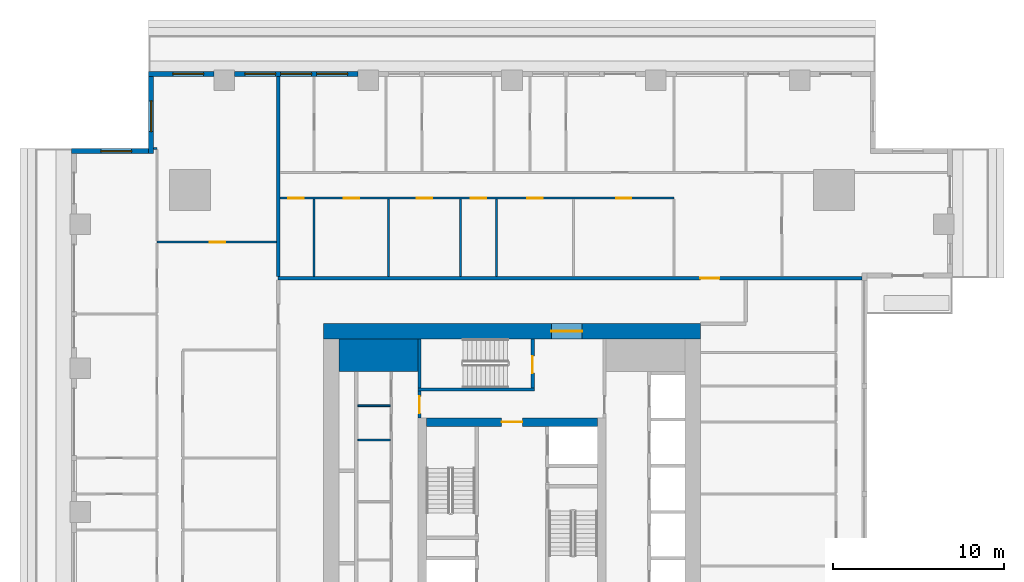
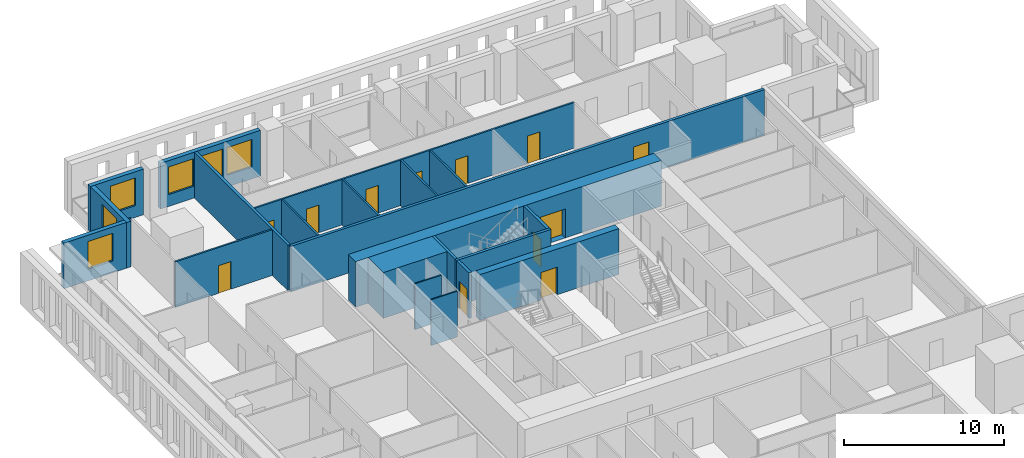
# One storey, part 7 of 15: 22 walls, 12 doors, 6 windows, 18 openings.
"""IFC4 building model written with IfcOpenShell, lengths in metres."""

from ifc_helpers import new_model, si_unit, direction, frame, frame_2d, origin, place, context, subcontext, project, spatial, rectangle, extrude, material, layer, layer_set, type_object, element, fill, save


model = new_model("IFC4")

# Units and contexts
model_context = context("Model", 3, precision=1e-05, world=origin(), true_north=direction((0.0, 1.0)))
body_context = subcontext(model_context, "Body", "Model", "MODEL_VIEW")
ifc_project = project(units=[si_unit("LENGTHUNIT", "METRE"), si_unit("AREAUNIT", "SQUARE_METRE"), si_unit("VOLUMEUNIT", "CUBIC_METRE"), si_unit("PLANEANGLEUNIT", "RADIAN"), si_unit("MASSUNIT", "GRAM", prefix="KILO")], contexts=[model_context])

# Site, building, storey
site_placement = place(None, origin())
site = spatial("IfcSite", under=ifc_project, at=site_placement, CompositionType="ELEMENT")
building_placement = place(site_placement, origin())
building = spatial("IfcBuilding", under=site, at=building_placement, Name="Khepri Terraces", CompositionType="ELEMENT")
storey_placement = place(building_placement, frame((0.0, 0.0, 227.39990234375)))
storey = spatial("IfcBuildingStorey", under=building, at=storey_placement, Name="L54", CompositionType="ELEMENT", Elevation=227.39990234375)

# Walls
ifc_material_1 = material(Name="Concrete C50/60", Category="concrete")
ifc_layer_1 = layer(ifc_material_1, 1.89990234375, Name="Concrete C50/60", Category="concrete")
ifc_layer_set_1 = layer_set([ifc_layer_1], Name="Concrete C50/60")
wall_type_1 = type_object("IfcWallType", Name="Core wall 1900 C50/60", PredefinedType="SHEAR", material=ifc_layer_set_1)
wall_1_placement = place(storey_placement, frame((-10.10009765625, 9.14990234375, 0.0), z_axis=(0.0, 0.0, 1.0), x_axis=(1.0, 0.0, 0.0)))
element("IfcWall", 1, at=wall_1_placement, inside=storey, type_object=wall_type_1, Name="Core wall PR03 L54", PredefinedType="SHEAR", context=body_context, shape_type="SweptSolid", body=[
    extrude(rectangle(XDim=4.60009765625, YDim=1.89990234375, at=frame_2d((2.300048828125, 0.0))), origin(), (0.0, 0.0, 1.0), 3.47998046875),
])
ifc_layer_2 = layer(ifc_material_1, 0.199951171875, Name="Concrete C50/60", Category="concrete")
ifc_layer_set_2 = layer_set([ifc_layer_2], Name="Concrete C50/60")
wall_type_2 = type_object("IfcWallType", Name="Core wall 200 C50/60", PredefinedType="SHEAR", material=ifc_layer_set_2)
wall_2_placement = place(storey_placement, frame((-5.5, 7.14990234375, 0.0), z_axis=(0.0, 0.0, 1.0), x_axis=(1.0, 0.0, 0.0)))
element("IfcWall", 2, at=wall_2_placement, inside=storey, type_object=wall_type_2, Name="Core wall ST05 L54", PredefinedType="SHEAR", context=body_context, shape_type="SweptSolid", body=[
    extrude(rectangle(XDim=6.800048828125, YDim=0.199951171875, at=frame_2d((3.39990234375, 0.0))), origin(), (0.0, 0.0, 1.0), 3.47998046875),
])
wall_3_placement = place(storey_placement, frame((-5.39990234375, 7.25, 0.0), z_axis=(0.0, 0.0, 1.0), x_axis=(0.0, 1.0, 0.0)))
element("IfcWall", 3, at=wall_3_placement, inside=storey, type_object=wall_type_2, Name="Core wall ST06 L54", PredefinedType="SHEAR", context=body_context, shape_type="SweptSolid", body=[
    extrude(rectangle(XDim=2.85009765625, YDim=0.199951171875, at=frame_2d((1.425048828125, 0.0))), origin(), (0.0, 0.0, 1.0), 3.47998046875),
])

# Wall, opening, door
wall_4_placement = place(storey_placement, frame((1.199951171875, 7.25, 0.0), z_axis=(0.0, 0.0, 1.0), x_axis=(0.0, 1.0, 0.0)))
wall_4 = element("IfcWall", 4, at=wall_4_placement, inside=storey, type_object=wall_type_2, Name="Core wall ST07 L54", PredefinedType="SHEAR", context=body_context, shape_type="SweptSolid", body=[
    extrude(rectangle(XDim=2.85009765625, YDim=0.199951171875, at=frame_2d((1.425048828125, 0.0))), origin(), (0.0, 0.0, 1.0), 3.47998046875),
])
opening_1_placement = place(wall_4_placement, frame((0.85009765625, 0.0, 0.0)))
opening_1 = element("IfcOpeningElement", 5, at=opening_1_placement, cuts=wall_4, Name="Opening L54-C15", PredefinedType="OPENING", context=body_context, shape_type="SweptSolid", body=[
    extrude(rectangle(XDim=1.0, YDim=2.10009765625, at=frame_2d((0.5, 1.050048828125))), frame((0.0, 0.10986328125, 0.0), z_axis=(0.0, -1.0, 0.0), x_axis=(1.0, 0.0, 0.0)), (0.0, 0.0, 1.0), 0.219970703125),
])
ifc_material_2 = material(Name="Painted steel", Category="steel")
door_type_1 = type_object("IfcDoorType", Name="DR-CORE-STAIR-1000", OperationType="NOTDEFINED", PredefinedType="DOOR", material=ifc_material_2)
door_1_placement = place(opening_1_placement, origin())
door_1 = element("IfcDoor", 6, at=door_1_placement, inside=storey, type_object=door_type_1, Name="Stair door L54-C15", OperationType="SINGLE_SWING_LEFT", OverallHeight=2.10009765625, OverallWidth=1.0, PredefinedType="DOOR", context=body_context, shape_type="SweptSolid", body=[
    extrude(rectangle(XDim=1.0, YDim=2.10009765625, at=frame_2d((0.5, 1.050048828125))), frame((0.0, 0.02490234375, 0.0), z_axis=(0.0, -1.0, 0.0), x_axis=(1.0, 0.0, 0.0)), (0.0, 0.0, 1.0), 0.050048828125),
])
fill(opening_1, door_1)

ifc_layer_3 = layer(ifc_material_1, 0.5, Name="Concrete C50/60", Category="concrete")
ifc_layer_set_3 = layer_set([ifc_layer_3], Name="Concrete C50/60")
wall_type_3 = type_object("IfcWallType", Name="Core wall 500 C50/60", PredefinedType="SHEAR", material=ifc_layer_set_3)
wall_5_placement = place(storey_placement, frame((-5.0, 5.25, 0.0), z_axis=(0.0, 0.0, 1.0), x_axis=(1.0, 0.0, 0.0)))
wall_5 = element("IfcWall", 7, at=wall_5_placement, inside=storey, type_object=wall_type_3, Name="Core wall BX04 L54", PredefinedType="SHEAR", context=body_context, shape_type="SweptSolid", body=[
    extrude(rectangle(XDim=10.0, YDim=0.5, at=frame_2d((5.0, 0.0))), origin(), (0.0, 0.0, 1.0), 3.47998046875),
])
opening_2_placement = place(wall_5_placement, frame((4.39990234375, 0.0, 0.0)))
opening_2 = element("IfcOpeningElement", 8, at=opening_2_placement, cuts=wall_5, Name="Opening L54-C13", PredefinedType="OPENING", context=body_context, shape_type="SweptSolid", body=[
    extrude(rectangle(XDim=1.199951171875, YDim=2.10009765625, at=frame_2d((0.60009765625, 1.050048828125))), frame((0.0, 0.260009765625, 0.0), z_axis=(0.0, -1.0, 0.0), x_axis=(1.0, 0.0, 0.0)), (0.0, 0.0, 1.0), 0.52001953125),
])
door_type_2 = type_object("IfcDoorType", Name="DR-CORE-FF-LOBBY-1200", OperationType="NOTDEFINED", PredefinedType="DOOR", material=ifc_material_2)
door_2_placement = place(opening_2_placement, frame((1.199951171875, 0.0, 0.0), z_axis=(0.0, 0.0, 1.0), x_axis=(-1.0, 0.0, 0.0)))
door_2 = element("IfcDoor", 9, at=door_2_placement, inside=storey, type_object=door_type_2, Name="Firefighting lobby door L54-C13", OperationType="SINGLE_SWING_LEFT", OverallHeight=2.10009765625, OverallWidth=1.199951171875, PredefinedType="DOOR", context=body_context, shape_type="SweptSolid", body=[
    extrude(rectangle(XDim=1.199951171875, YDim=2.10009765625, at=frame_2d((0.60009765625, 1.050048828125))), frame((0.0, 0.02490234375, 0.0), z_axis=(0.0, -1.0, 0.0), x_axis=(1.0, 0.0, 0.0)), (0.0, 0.0, 1.0), 0.050048828125),
])
fill(opening_2, door_2)

ifc_layer_4 = layer(ifc_material_1, 0.89990234375, Name="Concrete C50/60", Category="concrete")
ifc_layer_set_4 = layer_set([ifc_layer_4], Name="Concrete C50/60")
wall_type_4 = type_object("IfcWallType", Name="Core wall 900 C50/60", PredefinedType="SHEAR", material=ifc_layer_set_4)
wall_6_placement = place(storey_placement, frame((-11.0, 10.550048828125, 0.0), z_axis=(0.0, 0.0, 1.0), x_axis=(1.0, 0.0, 0.0)))
wall_6 = element("IfcWall", 10, at=wall_6_placement, inside=storey, type_object=wall_type_4, Name="Core wall OW-N L54", PredefinedType="SHEAR", context=body_context, shape_type="SweptSolid", body=[
    extrude(rectangle(XDim=22.0, YDim=0.89990234375, at=frame_2d((11.0, 0.0))), origin(), (0.0, 0.0, 1.0), 3.47998046875),
])
opening_3_placement = place(wall_6_placement, frame((13.300048828125, 0.0, 0.0)))
opening_3 = element("IfcOpeningElement", 11, at=opening_3_placement, cuts=wall_6, Name="Opening L54-C20", PredefinedType="OPENING", context=body_context, shape_type="SweptSolid", body=[
    extrude(rectangle(XDim=1.800048828125, YDim=2.199951171875, at=frame_2d((0.89990234375, 1.10009765625))), frame((0.0, 0.4599609375, 0.0), z_axis=(0.0, -1.0, 0.0), x_axis=(1.0, 0.0, 0.0)), (0.0, 0.0, 1.0), 0.919921875),
])
door_type_3 = type_object("IfcDoorType", Name="DR-CORE-ENTRANCE-1800", OperationType="NOTDEFINED", PredefinedType="DOOR", material=ifc_material_2)
door_3_placement = place(opening_3_placement, origin())
door_3 = element("IfcDoor", 12, at=door_3_placement, inside=storey, type_object=door_type_3, Name="Core entrance door pair L54-C20", OperationType="DOUBLE_DOOR_SINGLE_SWING", OverallHeight=2.199951171875, OverallWidth=1.800048828125, PredefinedType="DOOR", context=body_context, shape_type="SweptSolid", body=[
    extrude(rectangle(XDim=1.800048828125, YDim=2.199951171875, at=frame_2d((0.89990234375, 1.10009765625))), frame((0.0, 0.02490234375, 0.0), z_axis=(0.0, -1.0, 0.0), x_axis=(1.0, 0.0, 0.0)), (0.0, 0.0, 1.0), 0.050048828125),
])
fill(opening_3, door_3)

# Walls
ifc_material_3 = material(Name="Fire-rated gypsum board partition")
ifc_layer_5 = layer(ifc_material_3, 0.10009765625, Name="Fire-rated gypsum board partition")
ifc_layer_set_5 = layer_set([ifc_layer_5], Name="Fire-rated gypsum board partition")
wall_type_5 = type_object("IfcWallType", Name="WL-CORE-PART-100", PredefinedType="PARTITIONING", material=ifc_layer_set_5)
for number, where, z_axis, x_axis, name in (
    (13, (-9.0, 4.199951171875, 0.0), (0.0, 0.0, 1.0), (1.0, 0.0, 0.0), "Core partition PT11 L54"),
    (14, (-9.0, 6.199951171875, 0.0), (0.0, 0.0, 1.0), (1.0, 0.0, 0.0), "Core partition PT14 L54"),
):
    element("IfcWall", number, at=place(storey_placement, frame(where, z_axis=z_axis, x_axis=x_axis)), inside=storey, type_object=wall_type_5, Name=name, PredefinedType="PARTITIONING", context=body_context, shape_type="SweptSolid", body=[
        extrude(rectangle(XDim=1.89990234375, YDim=0.10009765625, at=frame_2d((0.949951171875, 0.0))), origin(), (0.0, 0.0, 1.0), 3.47998046875),
    ])

# Wall, opening, door
ifc_layer_6 = layer(ifc_material_3, 0.199951171875, Name="Fire-rated gypsum board partition")
ifc_layer_set_6 = layer_set([ifc_layer_6], Name="Fire-rated gypsum board partition")
wall_type_6 = type_object("IfcWallType", Name="WL-CORE-PART-200", PredefinedType="PARTITIONING", material=ifc_layer_set_6)
wall_7_placement = place(storey_placement, frame((-5.39990234375, 5.5, 0.0), z_axis=(0.0, 0.0, 1.0), x_axis=(0.0, 1.0, 0.0)))
wall_7 = element("IfcWall", 15, at=wall_7_placement, inside=storey, type_object=wall_type_6, Name="Core partition PT12 L54", PredefinedType="PARTITIONING", context=body_context, shape_type="SweptSolid", body=[
    extrude(rectangle(XDim=1.550048828125, YDim=0.199951171875, at=frame_2d((0.77490234375, 0.0))), origin(), (0.0, 0.0, 1.0), 3.47998046875),
])
opening_4_placement = place(wall_7_placement, frame((0.25, 0.0, 0.0)))
opening_4 = element("IfcOpeningElement", 16, at=opening_4_placement, cuts=wall_7, Name="Opening L54-C16", PredefinedType="OPENING", context=body_context, shape_type="SweptSolid", body=[
    extrude(rectangle(XDim=1.0, YDim=2.10009765625, at=frame_2d((0.5, 1.050048828125))), frame((0.0, 0.10986328125, 0.0), z_axis=(0.0, -1.0, 0.0), x_axis=(1.0, 0.0, 0.0)), (0.0, 0.0, 1.0), 0.219970703125),
])
door_type_4 = type_object("IfcDoorType", Name="DR-CORE-LOBBY-1000", OperationType="NOTDEFINED", PredefinedType="DOOR", material=ifc_material_2)
door_4_placement = place(opening_4_placement, frame((1.0, 0.0, 0.0), z_axis=(0.0, 0.0, 1.0), x_axis=(-1.0, 0.0, 0.0)))
door_4 = element("IfcDoor", 17, at=door_4_placement, inside=storey, type_object=door_type_4, Name="Lobby door L54-C16", OperationType="SINGLE_SWING_RIGHT", OverallHeight=2.10009765625, OverallWidth=1.0, PredefinedType="DOOR", context=body_context, shape_type="SweptSolid", body=[
    extrude(rectangle(XDim=1.0, YDim=2.10009765625, at=frame_2d((0.5, 1.050048828125))), frame((0.0, 0.02490234375, 0.0), z_axis=(0.0, -1.0, 0.0), x_axis=(1.0, 0.0, 0.0)), (0.0, 0.0, 1.0), 0.050048828125),
])
fill(opening_4, door_4)

ifc_material_4 = material(Name="Fire-rated gypsum plasterboard partition, mineral wool")
ifc_layer_7 = layer(ifc_material_4, 0.199951171875, Name="Fire-rated gypsum plasterboard partition, mineral wool")
ifc_layer_set_7 = layer_set([ifc_layer_7], Name="Fire-rated gypsum plasterboard partition, mineral wool")
wall_type_7 = type_object("IfcWallType", Name="WL-CORR-200", PredefinedType="PARTITIONING", material=ifc_layer_set_7)
wall_8_placement = place(storey_placement, frame((-13.64990234375, 13.64990234375, 0.0), z_axis=(0.0, 0.0, 1.0), x_axis=(1.0, 0.0, 0.0)))
wall_8 = element("IfcWall", 18, at=wall_8_placement, inside=storey, type_object=wall_type_7, Name="Partition P-069 L54", PredefinedType="PARTITIONING", context=body_context, shape_type="SweptSolid", body=[
    extrude(rectangle(XDim=34.06982421875, YDim=0.199951171875, at=frame_2d((17.034912109375, 0.0))), origin(), (0.0, 0.0, 1.0), 3.47998046875),
])
opening_5_placement = place(wall_8_placement, frame((24.64990234375, 0.0, 0.0)))
opening_5 = element("IfcOpeningElement", 19, at=opening_5_placement, cuts=wall_8, Name="Opening D1", PredefinedType="OPENING", context=body_context, shape_type="SweptSolid", body=[
    extrude(rectangle(XDim=1.10009765625, YDim=2.39990234375, at=frame_2d((0.550048828125, 1.199951171875))), frame((0.0, 0.10986328125, 0.0), z_axis=(0.0, -1.0, 0.0), x_axis=(1.0, 0.0, 0.0)), (0.0, 0.0, 1.0), 0.219970703125),
])
ifc_material_5 = material(Name="Solid-core timber door leaf, flat entrance door", Category="wood")
door_type_5 = type_object("IfcDoorType", Name="DR-ENT-1100", OperationType="NOTDEFINED", PredefinedType="DOOR", material=ifc_material_5)
door_5_placement = place(opening_5_placement, origin())
door_5 = element("IfcDoor", 20, at=door_5_placement, inside=storey, type_object=door_type_5, Name="Flat C1 entrance door", OperationType="SINGLE_SWING_RIGHT", OverallHeight=2.39990234375, OverallWidth=1.10009765625, PredefinedType="DOOR", context=body_context, shape_type="SweptSolid", body=[
    extrude(rectangle(XDim=1.10009765625, YDim=2.39990234375, at=frame_2d((0.550048828125, 1.199951171875))), frame((0.0, 0.02490234375, 0.0), z_axis=(0.0, -1.0, 0.0), x_axis=(1.0, 0.0, 0.0)), (0.0, 0.0, 1.0), 0.050048828125),
])
fill(opening_5, door_5)

# Wall
wall_9_placement = place(storey_placement, frame((-13.64990234375, 13.75, 0.0), z_axis=(0.0, 0.0, 1.0), x_axis=(0.0, 1.0, 0.0)))
element("IfcWall", 21, at=wall_9_placement, inside=storey, type_object=wall_type_7, Name="Partition P-070 L54", PredefinedType="PARTITIONING", context=body_context, shape_type="SweptSolid", body=[
    extrude(rectangle(XDim=11.669921875, YDim=0.199951171875, at=frame_2d((5.8349609375, 0.0))), origin(), (0.0, 0.0, 1.0), 3.47998046875),
])

# Wall, openings, windows
ifc_material_6 = material(Name="Precast concrete C50/60 warm stone", Category="masonry")
ifc_layer_8 = layer(ifc_material_6, 0.300048828125, Name="Precast concrete C50/60 warm stone", Category="masonry")
ifc_layer_set_8 = layer_set([ifc_layer_8], Name="Precast concrete C50/60 warm stone")
wall_type_8 = type_object("IfcWallType", Name="WL-EXT-PRECAST-300", PredefinedType="STANDARD", material=ifc_layer_set_8)
wall_10_placement = place(storey_placement, frame((-9.0, 25.570068359375, 0.0), z_axis=(0.0, 0.0, 1.0), x_axis=(-1.0, 0.0, 0.0)))
wall_10 = element("IfcWall", 22, at=wall_10_placement, inside=storey, type_object=wall_type_8, Name="External wall L54 N", PredefinedType="STANDARD", context=body_context, shape_type="SweptSolid", body=[
    extrude(rectangle(XDim=7.199951171875, YDim=0.300048828125, at=frame_2d((3.60009765625, 0.0))), origin(), (0.0, 0.0, 1.0), 3.47998046875),
])
opening_6_placement = place(wall_10_placement, frame((0.60009765625, 0.0, 0.89990234375)))
opening_6 = element("IfcOpeningElement", 23, at=opening_6_placement, cuts=wall_10, Name="Opening W1", PredefinedType="OPENING", context=body_context, shape_type="SweptSolid", body=[
    extrude(rectangle(XDim=1.800048828125, YDim=2.10009765625, at=frame_2d((0.89990234375, 1.050048828125))), frame((0.0, 0.16015625, 0.0), z_axis=(0.0, -1.0, 0.0), x_axis=(1.0, 0.0, 0.0)), (0.0, 0.0, 1.0), 0.320068359375),
])
opening_7_placement = place(wall_10_placement, frame((2.699951171875, 0.0, 0.89990234375)))
opening_7 = element("IfcOpeningElement", 24, at=opening_7_placement, cuts=wall_10, Name="Opening W1", PredefinedType="OPENING", context=body_context, shape_type="SweptSolid", body=[
    extrude(rectangle(XDim=1.800048828125, YDim=2.10009765625, at=frame_2d((0.89990234375, 1.050048828125))), frame((0.0, 0.16015625, 0.0), z_axis=(0.0, -1.0, 0.0), x_axis=(1.0, 0.0, 0.0)), (0.0, 0.0, 1.0), 0.320068359375),
])
opening_8_placement = place(wall_10_placement, frame((4.800048828125, 0.0, 0.89990234375)))
opening_8 = element("IfcOpeningElement", 25, at=opening_8_placement, cuts=wall_10, Name="Opening W1", PredefinedType="OPENING", context=body_context, shape_type="SweptSolid", body=[
    extrude(rectangle(XDim=1.800048828125, YDim=2.10009765625, at=frame_2d((0.89990234375, 1.050048828125))), frame((0.0, 0.16015625, 0.0), z_axis=(0.0, -1.0, 0.0), x_axis=(1.0, 0.0, 0.0)), (0.0, 0.0, 1.0), 0.320068359375),
])
ifc_material_7 = material(Name="Clear glass", Category="glass")
window_type = type_object("IfcWindowType", Name="WIN-RES-1800x2100", PartitioningType="SINGLE_PANEL", PredefinedType="WINDOW", material=ifc_material_7)
window_1_placement = place(opening_6_placement, origin())
window_1 = element("IfcWindow", 26, at=window_1_placement, inside=storey, type_object=window_type, Name="Window L54 N", OverallHeight=2.10009765625, OverallWidth=1.800048828125, PartitioningType="SINGLE_PANEL", PredefinedType="WINDOW", context=body_context, shape_type="SweptSolid", body=[
    extrude(rectangle(XDim=1.800048828125, YDim=2.10009765625, at=frame_2d((0.89990234375, 1.050048828125))), frame((0.0, 0.030029296875, 0.0), z_axis=(0.0, -1.0, 0.0), x_axis=(1.0, 0.0, 0.0)), (0.0, 0.0, 1.0), 0.06005859375),
])
fill(opening_6, window_1)
window_2_placement = place(opening_7_placement, origin())
window_2 = element("IfcWindow", 27, at=window_2_placement, inside=storey, type_object=window_type, Name="Window L54 N", OverallHeight=2.10009765625, OverallWidth=1.800048828125, PartitioningType="SINGLE_PANEL", PredefinedType="WINDOW", context=body_context, shape_type="SweptSolid", body=[
    extrude(rectangle(XDim=1.800048828125, YDim=2.10009765625, at=frame_2d((0.89990234375, 1.050048828125))), frame((0.0, 0.030029296875, 0.0), z_axis=(0.0, -1.0, 0.0), x_axis=(1.0, 0.0, 0.0)), (0.0, 0.0, 1.0), 0.06005859375),
])
fill(opening_7, window_2)
window_3_placement = place(opening_8_placement, origin())
window_3 = element("IfcWindow", 28, at=window_3_placement, inside=storey, type_object=window_type, Name="Window L54 N", OverallHeight=2.10009765625, OverallWidth=1.800048828125, PartitioningType="SINGLE_PANEL", PredefinedType="WINDOW", context=body_context, shape_type="SweptSolid", body=[
    extrude(rectangle(XDim=1.800048828125, YDim=2.10009765625, at=frame_2d((0.89990234375, 1.050048828125))), frame((0.0, 0.030029296875, 0.0), z_axis=(0.0, -1.0, 0.0), x_axis=(1.0, 0.0, 0.0)), (0.0, 0.0, 1.0), 0.06005859375),
])
fill(opening_8, window_3)

# Wall, opening, window
wall_11_placement = place(storey_placement, frame((-17.39990234375, 25.570068359375, 0.0), z_axis=(0.0, 0.0, 1.0), x_axis=(-1.0, 0.0, 0.0)))
wall_11 = element("IfcWall", 29, at=wall_11_placement, inside=storey, type_object=wall_type_8, Name="External wall L54 N", PredefinedType="STANDARD", context=body_context, shape_type="SweptSolid", body=[
    extrude(rectangle(XDim=3.820068359375, YDim=0.300048828125, at=frame_2d((1.91015625, 0.0))), origin(), (0.0, 0.0, 1.0), 3.47998046875),
])
opening_9_placement = place(wall_11_placement, frame((0.60009765625, 0.0, 0.89990234375)))
opening_9 = element("IfcOpeningElement", 30, at=opening_9_placement, cuts=wall_11, Name="Opening W1", PredefinedType="OPENING", context=body_context, shape_type="SweptSolid", body=[
    extrude(rectangle(XDim=1.800048828125, YDim=2.10009765625, at=frame_2d((0.89990234375, 1.050048828125))), frame((0.0, 0.16015625, 0.0), z_axis=(0.0, -1.0, 0.0), x_axis=(1.0, 0.0, 0.0)), (0.0, 0.0, 1.0), 0.320068359375),
])
window_4_placement = place(opening_9_placement, origin())
window_4 = element("IfcWindow", 31, at=window_4_placement, inside=storey, type_object=window_type, Name="Window L54 N", OverallHeight=2.10009765625, OverallWidth=1.800048828125, PartitioningType="SINGLE_PANEL", PredefinedType="WINDOW", context=body_context, shape_type="SweptSolid", body=[
    extrude(rectangle(XDim=1.800048828125, YDim=2.10009765625, at=frame_2d((0.89990234375, 1.050048828125))), frame((0.0, 0.030029296875, 0.0), z_axis=(0.0, -1.0, 0.0), x_axis=(1.0, 0.0, 0.0)), (0.0, 0.0, 1.0), 0.06005859375),
])
fill(opening_9, window_4)

wall_12_placement = place(storey_placement, frame((-21.070068359375, 25.419921875, 0.0), z_axis=(0.0, 0.0, 1.0), x_axis=(0.0, -1.0, 0.0)))
wall_12 = element("IfcWall", 32, at=wall_12_placement, inside=storey, type_object=wall_type_8, Name="External wall L54 W", PredefinedType="STANDARD", context=body_context, shape_type="SweptSolid", body=[
    extrude(rectangle(XDim=4.5, YDim=0.300048828125, at=frame_2d((2.25, 0.0))), origin(), (0.0, 0.0, 1.0), 3.47998046875),
])
opening_10_placement = place(wall_12_placement, frame((1.419921875, 0.0, 0.89990234375)))
opening_10 = element("IfcOpeningElement", 33, at=opening_10_placement, cuts=wall_12, Name="Opening W1", PredefinedType="OPENING", context=body_context, shape_type="SweptSolid", body=[
    extrude(rectangle(XDim=1.800048828125, YDim=2.10009765625, at=frame_2d((0.89990234375, 1.050048828125))), frame((0.0, 0.16015625, 0.0), z_axis=(0.0, -1.0, 0.0), x_axis=(1.0, 0.0, 0.0)), (0.0, 0.0, 1.0), 0.320068359375),
])
window_5_placement = place(opening_10_placement, origin())
window_5 = element("IfcWindow", 34, at=window_5_placement, inside=storey, type_object=window_type, Name="Window L54 W", OverallHeight=2.10009765625, OverallWidth=1.800048828125, PartitioningType="SINGLE_PANEL", PredefinedType="WINDOW", context=body_context, shape_type="SweptSolid", body=[
    extrude(rectangle(XDim=1.800048828125, YDim=2.10009765625, at=frame_2d((0.89990234375, 1.050048828125))), frame((0.0, 0.030029296875, 0.0), z_axis=(0.0, -1.0, 0.0), x_axis=(1.0, 0.0, 0.0)), (0.0, 0.0, 1.0), 0.06005859375),
])
fill(opening_10, window_5)

wall_13_placement = place(storey_placement, frame((-21.219970703125, 21.070068359375, 0.0), z_axis=(0.0, 0.0, 1.0), x_axis=(-1.0, 0.0, 0.0)))
wall_13 = element("IfcWall", 35, at=wall_13_placement, inside=storey, type_object=wall_type_8, Name="External wall L54 N", PredefinedType="STANDARD", context=body_context, shape_type="SweptSolid", body=[
    extrude(rectangle(XDim=4.5, YDim=0.300048828125, at=frame_2d((2.25, 0.0))), origin(), (0.0, 0.0, 1.0), 3.47998046875),
])
opening_11_placement = place(wall_13_placement, frame((0.97998046875, 0.0, 0.89990234375)))
opening_11 = element("IfcOpeningElement", 36, at=opening_11_placement, cuts=wall_13, Name="Opening W1", PredefinedType="OPENING", context=body_context, shape_type="SweptSolid", body=[
    extrude(rectangle(XDim=1.800048828125, YDim=2.10009765625, at=frame_2d((0.89990234375, 1.050048828125))), frame((0.0, 0.16015625, 0.0), z_axis=(0.0, -1.0, 0.0), x_axis=(1.0, 0.0, 0.0)), (0.0, 0.0, 1.0), 0.320068359375),
])
window_6_placement = place(opening_11_placement, origin())
window_6 = element("IfcWindow", 37, at=window_6_placement, inside=storey, type_object=window_type, Name="Window L54 N", OverallHeight=2.10009765625, OverallWidth=1.800048828125, PartitioningType="SINGLE_PANEL", PredefinedType="WINDOW", context=body_context, shape_type="SweptSolid", body=[
    extrude(rectangle(XDim=1.800048828125, YDim=2.10009765625, at=frame_2d((0.89990234375, 1.050048828125))), frame((0.0, 0.030029296875, 0.0), z_axis=(0.0, -1.0, 0.0), x_axis=(1.0, 0.0, 0.0)), (0.0, 0.0, 1.0), 0.06005859375),
])
fill(opening_11, window_6)

# Walls
ifc_material_8 = material(Name="Gypsum plasterboard partition")
ifc_layer_9 = layer(ifc_material_8, 0.1201171875, Name="Gypsum plasterboard partition")
ifc_layer_set_9 = layer_set([ifc_layer_9], Name="Gypsum plasterboard partition")
wall_type_9 = type_object("IfcWallType", Name="WL-PART-120", PredefinedType="PARTITIONING", material=ifc_layer_set_9)
for number, where, z_axis, x_axis, name in (
    (38, (-11.550048828125, 13.75, 0.0), (0.0, 0.0, 1.0), (0.0, 1.0, 0.0), "Partition P-071 L54"),
    (39, (-7.199951171875, 13.75, 0.0), (0.0, 0.0, 1.0), (0.0, 1.0, 0.0), "Partition P-072 L54"),
    (40, (-3.0, 13.75, 0.0), (0.0, 0.0, 1.0), (0.0, 1.0, 0.0), "Partition P-073 L54"),
    (41, (-0.89990234375, 13.75, 0.0), (0.0, 0.0, 1.0), (0.0, 1.0, 0.0), "Partition P-074 L54"),
):
    element("IfcWall", number, at=place(storey_placement, frame(where, z_axis=z_axis, x_axis=x_axis)), inside=storey, type_object=wall_type_9, Name=name, PredefinedType="PARTITIONING", context=body_context, shape_type="SweptSolid", body=[
        extrude(rectangle(XDim=4.510009765625, YDim=0.1201171875, at=frame_2d((2.2548828125, 0.0))), origin(), (0.0, 0.0, 1.0), 3.47998046875),
    ])

# Wall, opening, door
wall_14_placement = place(storey_placement, frame((-20.719970703125, 15.75, 0.0), z_axis=(0.0, 0.0, 1.0), x_axis=(1.0, 0.0, 0.0)))
wall_14 = element("IfcWall", 42, at=wall_14_placement, inside=storey, type_object=wall_type_9, Name="Partition P-078 L54", PredefinedType="PARTITIONING", context=body_context, shape_type="SweptSolid", body=[
    extrude(rectangle(XDim=6.969970703125, YDim=0.1201171875, at=frame_2d((3.48486328125, 0.0))), origin(), (0.0, 0.0, 1.0), 3.47998046875),
])
opening_12_placement = place(wall_14_placement, frame((3.0849609375, 0.0, 0.0)))
opening_12 = element("IfcOpeningElement", 43, at=opening_12_placement, cuts=wall_14, Name="Opening D3", PredefinedType="OPENING", context=body_context, shape_type="SweptSolid", body=[
    extrude(rectangle(XDim=0.89990234375, YDim=2.10009765625, at=frame_2d((0.449951171875, 1.050048828125))), frame((0.0, 0.070068359375, 0.0), z_axis=(0.0, -1.0, 0.0), x_axis=(1.0, 0.0, 0.0)), (0.0, 0.0, 1.0), 0.14013671875),
])
ifc_material_9 = material(Name="Timber door leaf", Category="wood")
door_type_6 = type_object("IfcDoorType", Name="DR-INT-900", OperationType="NOTDEFINED", PredefinedType="DOOR", material=ifc_material_9)
door_6_placement = place(opening_12_placement, origin())
door_6 = element("IfcDoor", 44, at=door_6_placement, inside=storey, type_object=door_type_6, Name="Door Home Cinema", OperationType="SINGLE_SWING_RIGHT", OverallHeight=2.10009765625, OverallWidth=0.89990234375, PredefinedType="DOOR", context=body_context, shape_type="SweptSolid", body=[
    extrude(rectangle(XDim=0.89990234375, YDim=2.10009765625, at=frame_2d((0.449951171875, 1.050048828125))), frame((0.0, 0.02490234375, 0.0), z_axis=(0.0, -1.0, 0.0), x_axis=(1.0, 0.0, 0.0)), (0.0, 0.0, 1.0), 0.050048828125),
])
fill(opening_12, door_6)

# Wall, openings, doors
wall_15_placement = place(storey_placement, frame((-13.550048828125, 18.320068359375, 0.0), z_axis=(0.0, 0.0, 1.0), x_axis=(1.0, 0.0, 0.0)))
wall_15 = element("IfcWall", 45, at=wall_15_placement, inside=storey, type_object=wall_type_9, Name="Partition P-080 L54", PredefinedType="PARTITIONING", context=body_context, shape_type="SweptSolid", body=[
    extrude(rectangle(XDim=23.0, YDim=0.1201171875, at=frame_2d((11.5, 0.0))), origin(), (0.0, 0.0, 1.0), 3.47998046875),
])
opening_13_placement = place(wall_15_placement, frame((19.625, 0.0, 0.0)))
opening_13 = element("IfcOpeningElement", 46, at=opening_13_placement, cuts=wall_15, Name="Opening D3", PredefinedType="OPENING", context=body_context, shape_type="SweptSolid", body=[
    extrude(rectangle(XDim=0.89990234375, YDim=2.10009765625, at=frame_2d((0.449951171875, 1.050048828125))), frame((0.0, 0.070068359375, 0.0), z_axis=(0.0, -1.0, 0.0), x_axis=(1.0, 0.0, 0.0)), (0.0, 0.0, 1.0), 0.14013671875),
])
opening_14_placement = place(wall_15_placement, frame((14.449951171875, 0.0, 0.0)))
opening_14 = element("IfcOpeningElement", 47, at=opening_14_placement, cuts=wall_15, Name="Opening D3", PredefinedType="OPENING", context=body_context, shape_type="SweptSolid", body=[
    extrude(rectangle(XDim=0.89990234375, YDim=2.10009765625, at=frame_2d((0.449951171875, 1.050048828125))), frame((0.0, 0.070068359375, 0.0), z_axis=(0.0, -1.0, 0.0), x_axis=(1.0, 0.0, 0.0)), (0.0, 0.0, 1.0), 0.14013671875),
])
opening_15_placement = place(wall_15_placement, frame((11.14990234375, 0.0, 0.0)))
opening_15 = element("IfcOpeningElement", 48, at=opening_15_placement, cuts=wall_15, Name="Opening D4", PredefinedType="OPENING", context=body_context, shape_type="SweptSolid", body=[
    extrude(rectangle(XDim=0.89990234375, YDim=2.10009765625, at=frame_2d((0.449951171875, 1.050048828125))), frame((0.0, 0.070068359375, 0.0), z_axis=(0.0, -1.0, 0.0), x_axis=(1.0, 0.0, 0.0)), (0.0, 0.0, 1.0), 0.14013671875),
])
opening_16_placement = place(wall_15_placement, frame((8.0, 0.0, 0.0)))
opening_16 = element("IfcOpeningElement", 49, at=opening_16_placement, cuts=wall_15, Name="Opening D3", PredefinedType="OPENING", context=body_context, shape_type="SweptSolid", body=[
    extrude(rectangle(XDim=0.89990234375, YDim=2.10009765625, at=frame_2d((0.449951171875, 1.050048828125))), frame((0.0, 0.070068359375, 0.0), z_axis=(0.0, -1.0, 0.0), x_axis=(1.0, 0.0, 0.0)), (0.0, 0.0, 1.0), 0.14013671875),
])
opening_17_placement = place(wall_15_placement, frame((3.72509765625, 0.0, 0.0)))
opening_17 = element("IfcOpeningElement", 50, at=opening_17_placement, cuts=wall_15, Name="Opening D4", PredefinedType="OPENING", context=body_context, shape_type="SweptSolid", body=[
    extrude(rectangle(XDim=0.89990234375, YDim=2.10009765625, at=frame_2d((0.449951171875, 1.050048828125))), frame((0.0, 0.070068359375, 0.0), z_axis=(0.0, -1.0, 0.0), x_axis=(1.0, 0.0, 0.0)), (0.0, 0.0, 1.0), 0.14013671875),
])
opening_18_placement = place(wall_15_placement, frame((0.5, 0.0, 0.0)))
opening_18 = element("IfcOpeningElement", 51, at=opening_18_placement, cuts=wall_15, Name="Opening D3", PredefinedType="OPENING", context=body_context, shape_type="SweptSolid", body=[
    extrude(rectangle(XDim=0.89990234375, YDim=2.10009765625, at=frame_2d((0.449951171875, 1.050048828125))), frame((0.0, 0.070068359375, 0.0), z_axis=(0.0, -1.0, 0.0), x_axis=(1.0, 0.0, 0.0)), (0.0, 0.0, 1.0), 0.14013671875),
])
door_7_placement = place(opening_13_placement, frame((0.89990234375, 0.0, 0.0), z_axis=(0.0, 0.0, 1.0), x_axis=(-1.0, 0.0, 0.0)))
door_7 = element("IfcDoor", 52, at=door_7_placement, inside=storey, type_object=door_type_6, Name="Door Kitchen", OperationType="SINGLE_SWING_LEFT", OverallHeight=2.10009765625, OverallWidth=0.89990234375, PredefinedType="DOOR", context=body_context, shape_type="SweptSolid", body=[
    extrude(rectangle(XDim=0.89990234375, YDim=2.10009765625, at=frame_2d((0.449951171875, 1.050048828125))), frame((0.0, 0.02490234375, 0.0), z_axis=(0.0, -1.0, 0.0), x_axis=(1.0, 0.0, 0.0)), (0.0, 0.0, 1.0), 0.050048828125),
])
fill(opening_13, door_7)
door_8_placement = place(opening_14_placement, frame((0.89990234375, 0.0, 0.0), z_axis=(0.0, 0.0, 1.0), x_axis=(-1.0, 0.0, 0.0)))
door_8 = element("IfcDoor", 53, at=door_8_placement, inside=storey, type_object=door_type_6, Name="Door Service Store", OperationType="SINGLE_SWING_LEFT", OverallHeight=2.10009765625, OverallWidth=0.89990234375, PredefinedType="DOOR", context=body_context, shape_type="SweptSolid", body=[
    extrude(rectangle(XDim=0.89990234375, YDim=2.10009765625, at=frame_2d((0.449951171875, 1.050048828125))), frame((0.0, 0.02490234375, 0.0), z_axis=(0.0, -1.0, 0.0), x_axis=(1.0, 0.0, 0.0)), (0.0, 0.0, 1.0), 0.050048828125),
])
fill(opening_14, door_8)
door_9_placement = place(opening_16_placement, frame((0.89990234375, 0.0, 0.0), z_axis=(0.0, 0.0, 1.0), x_axis=(-1.0, 0.0, 0.0)))
door_9 = element("IfcDoor", 54, at=door_9_placement, inside=storey, type_object=door_type_6, Name="Door Utility Room", OperationType="SINGLE_SWING_RIGHT", OverallHeight=2.10009765625, OverallWidth=0.89990234375, PredefinedType="DOOR", context=body_context, shape_type="SweptSolid", body=[
    extrude(rectangle(XDim=0.89990234375, YDim=2.10009765625, at=frame_2d((0.449951171875, 1.050048828125))), frame((0.0, 0.02490234375, 0.0), z_axis=(0.0, -1.0, 0.0), x_axis=(1.0, 0.0, 0.0)), (0.0, 0.0, 1.0), 0.050048828125),
])
fill(opening_16, door_9)
door_10_placement = place(opening_18_placement, frame((0.89990234375, 0.0, 0.0), z_axis=(0.0, 0.0, 1.0), x_axis=(-1.0, 0.0, 0.0)))
door_10 = element("IfcDoor", 55, at=door_10_placement, inside=storey, type_object=door_type_6, Name="Door Utility Room", OperationType="SINGLE_SWING_RIGHT", OverallHeight=2.10009765625, OverallWidth=0.89990234375, PredefinedType="DOOR", context=body_context, shape_type="SweptSolid", body=[
    extrude(rectangle(XDim=0.89990234375, YDim=2.10009765625, at=frame_2d((0.449951171875, 1.050048828125))), frame((0.0, 0.02490234375, 0.0), z_axis=(0.0, -1.0, 0.0), x_axis=(1.0, 0.0, 0.0)), (0.0, 0.0, 1.0), 0.050048828125),
])
fill(opening_18, door_10)
ifc_material_10 = material(Name="Timber door leaf, moisture resistant", Category="wood")
door_type_7 = type_object("IfcDoorType", Name="DR-WET-900", OperationType="NOTDEFINED", PredefinedType="DOOR", material=ifc_material_10)
door_11_placement = place(opening_15_placement, frame((0.89990234375, 0.0, 0.0), z_axis=(0.0, 0.0, 1.0), x_axis=(-1.0, 0.0, 0.0)))
door_11 = element("IfcDoor", 56, at=door_11_placement, inside=storey, type_object=door_type_7, Name="Door Powder Room", OperationType="SINGLE_SWING_LEFT", OverallHeight=2.10009765625, OverallWidth=0.89990234375, PredefinedType="DOOR", context=body_context, shape_type="SweptSolid", body=[
    extrude(rectangle(XDim=0.89990234375, YDim=2.10009765625, at=frame_2d((0.449951171875, 1.050048828125))), frame((0.0, 0.02490234375, 0.0), z_axis=(0.0, -1.0, 0.0), x_axis=(1.0, 0.0, 0.0)), (0.0, 0.0, 1.0), 0.050048828125),
])
fill(opening_15, door_11)
door_12_placement = place(opening_17_placement, frame((0.89990234375, 0.0, 0.0), z_axis=(0.0, 0.0, 1.0), x_axis=(-1.0, 0.0, 0.0)))
door_12 = element("IfcDoor", 57, at=door_12_placement, inside=storey, type_object=door_type_7, Name="Door Guest Bathroom", OperationType="SINGLE_SWING_RIGHT", OverallHeight=2.10009765625, OverallWidth=0.89990234375, PredefinedType="DOOR", context=body_context, shape_type="SweptSolid", body=[
    extrude(rectangle(XDim=0.89990234375, YDim=2.10009765625, at=frame_2d((0.449951171875, 1.050048828125))), frame((0.0, 0.02490234375, 0.0), z_axis=(0.0, -1.0, 0.0), x_axis=(1.0, 0.0, 0.0)), (0.0, 0.0, 1.0), 0.050048828125),
])
fill(opening_17, door_12)

# Wall
wall_16_placement = place(storey_placement, frame((-20.9208984375, 21.218994140625, 0.0), z_axis=(0.0, 0.0, 1.0), x_axis=(1.0, 0.0, 0.0)))
element("IfcWall", 58, at=wall_16_placement, inside=storey, type_object=wall_type_9, Name="Partition P-091 L54", PredefinedType="PARTITIONING", context=body_context, shape_type="SweptSolid", body=[
    extrude(rectangle(XDim=0.200927734375, YDim=0.1201171875, at=frame_2d((0.1005859375, 0.0))), origin(), (0.0, 0.0, 1.0), 3.47998046875),
])

save(model, "model.ifc")
